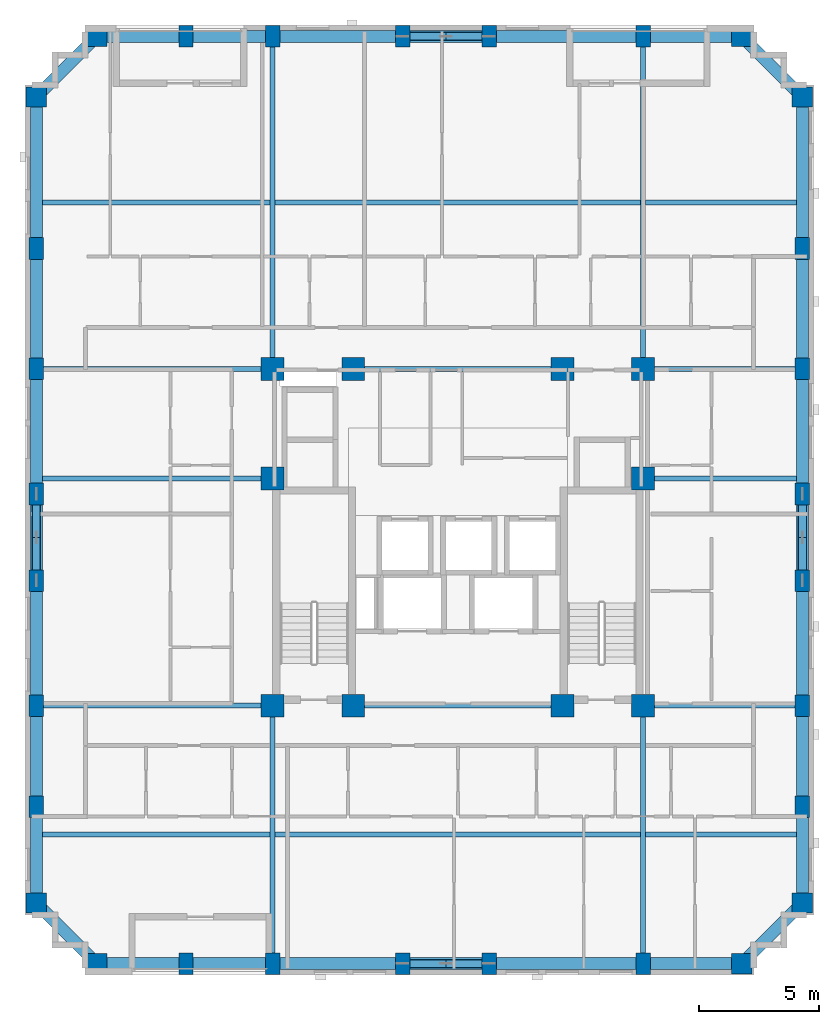
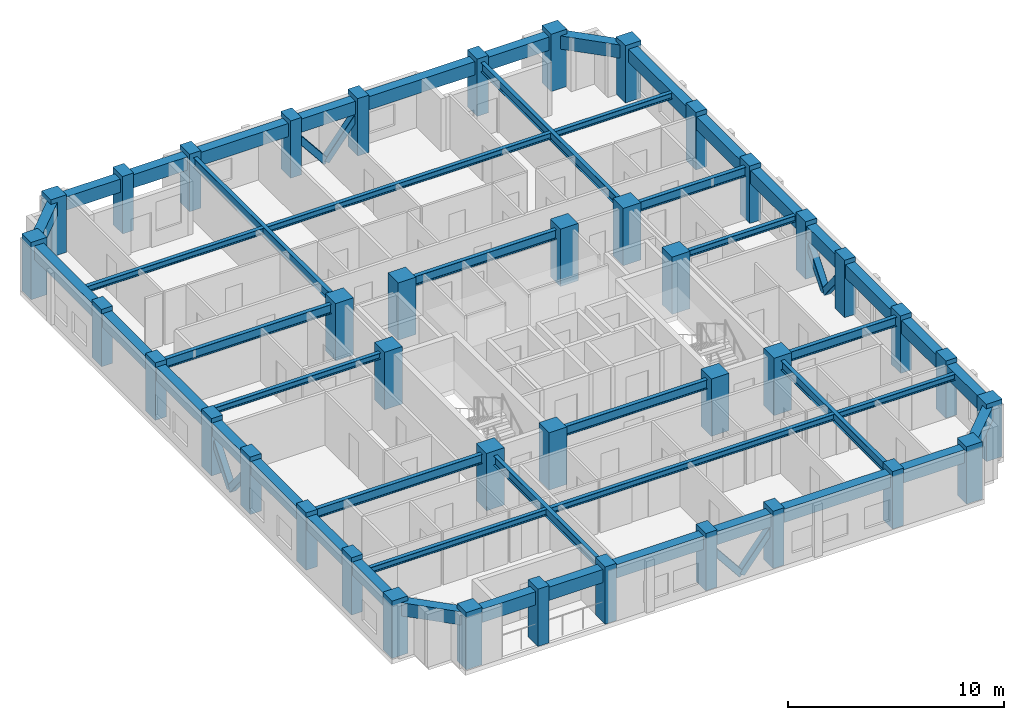
# One storey, part 1 of 11: 48 beams, 40 columns, 8 members.
"""IFC4 building model written with IfcOpenShell, lengths in metres."""

from ifc_helpers import new_model, si_unit, derived_unit, direction, frame, origin, origin_2d, place, context, subcontext, project, spatial, rectangle, hollow_rectangle, i_section, extrude, material, material_profile, profile_set, type_object, element, save


model = new_model("IFC4")

# Units and contexts
model_context = context("Model", 3, precision=1e-05, world=origin(), true_north=direction((0.0, 1.0)))
body_context = subcontext(model_context, "Body", "Model", "MODEL_VIEW")
ifc_project = project(units=[si_unit("LENGTHUNIT", "METRE"), si_unit("AREAUNIT", "SQUARE_METRE"), si_unit("VOLUMEUNIT", "CUBIC_METRE"), si_unit("PLANEANGLEUNIT", "RADIAN"), si_unit("MASSUNIT", "GRAM", prefix="KILO"), derived_unit("THERMALTRANSMITTANCEUNIT", [(si_unit("MASSUNIT", "GRAM", prefix="KILO"), 1), (si_unit("TIMEUNIT", "SECOND"), -3), (si_unit("THERMODYNAMICTEMPERATUREUNIT", "KELVIN"), -1)])], contexts=[model_context])

# Site, building, storey
site_placement = place(None, origin())
site = spatial("IfcSite", under=ifc_project, at=site_placement, CompositionType="ELEMENT")
building_placement = place(site_placement, origin())
building = spatial("IfcBuilding", under=site, at=building_placement, Name="Korrvale Station Residences", CompositionType="ELEMENT")
storey_placement = place(building_placement, frame((0.0, 0.0, 163.39990234375)))
storey = spatial("IfcBuildingStorey", under=building, at=storey_placement, Name="L47", CompositionType="ELEMENT", Elevation=163.39990234375)

# Columns
ifc_material_1 = material(Name="Concrete C60/75", Category="concrete")
ifc_material_profile_1 = material_profile(ifc_material_1, rectangle(XDim=0.60009765625, YDim=0.89990234375, at=origin_2d()), Name="RC600x900")
ifc_profile_set_1 = profile_set([ifc_material_profile_1], Name="Concrete C60/75")
column_type_1 = type_object("IfcColumnType", Name="COL-C-RC600x900-C6075", PredefinedType="COLUMN", material=ifc_profile_set_1)
for number, where, z_axis, x_axis, name in (
    (1, (14.199951171875, 4.280029296875, 0.0), (0.0, 0.0, 1.0), (1.0, 0.0, 0.0), "L47 Bundled-Tube South Column 02"),
    (2, (17.800048828125, 4.280029296875, 0.0), (0.0, 0.0, 1.0), (1.0, 0.0, 0.0), "L47 Bundled-Tube South Column 03"),
    (3, (23.199951171875, 4.280029296875, 0.0), (0.0, 0.0, 1.0), (1.0, 0.0, 0.0), "L47 Bundled-Tube South Column 04"),
    (4, (26.800048828125, 4.280029296875, 0.0), (0.0, 0.0, 1.0), (1.0, 0.0, 0.0), "L47 Bundled-Tube South Column 05"),
    (5, (33.199951171875, 4.280029296875, 0.0), (0.0, 0.0, 1.0), (1.0, 0.0, 0.0), "L47 Bundled-Tube South Column 06"),
    (6, (14.199951171875, 42.820068359375, 0.0), (0.0, 0.0, 1.0), (1.0, 0.0, 0.0), "L47 Bundled-Tube North Column 09"),
    (7, (17.800048828125, 42.820068359375, 0.0), (0.0, 0.0, 1.0), (1.0, 0.0, 0.0), "L47 Bundled-Tube North Column 10"),
    (8, (23.199951171875, 42.820068359375, 0.0), (0.0, 0.0, 1.0), (1.0, 0.0, 0.0), "L47 Bundled-Tube North Column 11"),
    (9, (26.800048828125, 42.820068359375, 0.0), (0.0, 0.0, 1.0), (1.0, 0.0, 0.0), "L47 Bundled-Tube North Column 12"),
    (10, (33.199951171875, 42.820068359375, 0.0), (0.0, 0.0, 1.0), (1.0, 0.0, 0.0), "L47 Bundled-Tube North Column 13"),
    (11, (7.97998046875, 10.800048828125, 0.0), (0.0, 0.0, 1.0), (1.0, 0.0, 0.0), "L47 Bundled-Tube West Column 16"),
    (12, (7.97998046875, 15.0, 0.0), (0.0, 0.0, 1.0), (1.0, 0.0, 0.0), "L47 Bundled-Tube West Column 17"),
    (13, (7.97998046875, 20.199951171875, 0.0), (0.0, 0.0, 1.0), (1.0, 0.0, 0.0), "L47 Bundled-Tube West Column 18"),
    (14, (7.97998046875, 23.800048828125, 0.0), (0.0, 0.0, 1.0), (1.0, 0.0, 0.0), "L47 Bundled-Tube West Column 19"),
    (15, (7.97998046875, 29.0, 0.0), (0.0, 0.0, 1.0), (1.0, 0.0, 0.0), "L47 Bundled-Tube West Column 20"),
    (16, (7.97998046875, 34.0, 0.0), (0.0, 0.0, 1.0), (1.0, 0.0, 0.0), "L47 Bundled-Tube West Column 21"),
    (17, (39.820068359375, 10.800048828125, 0.0), (0.0, 0.0, 1.0), (1.0, 0.0, 0.0), "L47 Bundled-Tube East Column 24"),
    (18, (39.820068359375, 15.0, 0.0), (0.0, 0.0, 1.0), (1.0, 0.0, 0.0), "L47 Bundled-Tube East Column 25"),
    (19, (39.820068359375, 20.199951171875, 0.0), (0.0, 0.0, 1.0), (1.0, 0.0, 0.0), "L47 Bundled-Tube East Column 26"),
    (20, (39.820068359375, 23.800048828125, 0.0), (0.0, 0.0, 1.0), (1.0, 0.0, 0.0), "L47 Bundled-Tube East Column 27"),
    (21, (39.820068359375, 29.0, 0.0), (0.0, 0.0, 1.0), (1.0, 0.0, 0.0), "L47 Bundled-Tube East Column 28"),
    (22, (39.820068359375, 34.0, 0.0), (0.0, 0.0, 1.0), (1.0, 0.0, 0.0), "L47 Bundled-Tube East Column 29"),
):
    element("IfcColumn", number, at=place(storey_placement, frame(where, z_axis=z_axis, x_axis=x_axis)), inside=storey, type_object=column_type_1, Name=name, PredefinedType="COLUMN", context=body_context, shape_type="SweptSolid", body=[
        extrude(rectangle(XDim=0.60009765625, YDim=0.89990234375, at=origin_2d()), origin(), (0.0, 0.0, 1.0), 3.25),
    ])
ifc_material_profile_2 = material_profile(ifc_material_1, rectangle(XDim=0.85009765625, YDim=0.85009765625, at=origin_2d()), Name="RC850x850")
ifc_profile_set_2 = profile_set([ifc_material_profile_2], Name="Concrete C60/75")
column_type_2 = type_object("IfcColumnType", Name="COL-C-RC850x850-C6075", PredefinedType="COLUMN", material=ifc_profile_set_2)
for number, where, z_axis, x_axis, name in (
    (23, (10.5, 4.280029296875, 0.0), (0.0, 0.0, 1.0), (1.0, 0.0, 0.0), "L47 Bundled-Tube South Column 01"),
    (24, (37.300048828125, 4.280029296875, 0.0), (0.0, 0.0, 1.0), (1.0, 0.0, 0.0), "L47 Bundled-Tube South Column 07"),
    (25, (10.5, 42.820068359375, 0.0), (0.0, 0.0, 1.0), (1.0, 0.0, 0.0), "L47 Bundled-Tube North Column 08"),
    (26, (37.300048828125, 42.820068359375, 0.0), (0.0, 0.0, 1.0), (1.0, 0.0, 0.0), "L47 Bundled-Tube North Column 14"),
    (27, (7.97998046875, 6.800048828125, 0.0), (0.0, 0.0, 1.0), (1.0, 0.0, 0.0), "L47 Bundled-Tube West Column 15"),
    (28, (7.97998046875, 40.300048828125, 0.0), (0.0, 0.0, 1.0), (1.0, 0.0, 0.0), "L47 Bundled-Tube West Column 22"),
    (29, (39.820068359375, 6.800048828125, 0.0), (0.0, 0.0, 1.0), (1.0, 0.0, 0.0), "L47 Bundled-Tube East Column 23"),
    (30, (39.820068359375, 40.300048828125, 0.0), (0.0, 0.0, 1.0), (1.0, 0.0, 0.0), "L47 Bundled-Tube East Column 30"),
):
    element("IfcColumn", number, at=place(storey_placement, frame(where, z_axis=z_axis, x_axis=x_axis)), inside=storey, type_object=column_type_2, Name=name, PredefinedType="COLUMN", context=body_context, shape_type="SweptSolid", body=[
        extrude(rectangle(XDim=0.85009765625, YDim=0.85009765625, at=origin_2d()), origin(), (0.0, 0.0, 1.0), 3.25),
    ])
ifc_material_profile_3 = material_profile(ifc_material_1, rectangle(XDim=0.949951171875, YDim=0.949951171875, at=origin_2d()), Name="RC950x950")
ifc_profile_set_3 = profile_set([ifc_material_profile_3], Name="Concrete C60/75")
column_type_3 = type_object("IfcColumnType", Name="COL-C-RC950x950-C6075", PredefinedType="COLUMN", material=ifc_profile_set_3)
for number, where, z_axis, x_axis, name in (
    (31, (17.800048828125, 15.0, 0.0), (0.0, 0.0, 1.0), (1.0, 0.0, 0.0), "L47 Core Column 01"),
    (32, (21.14990234375, 15.0, 0.0), (0.0, 0.0, 1.0), (1.0, 0.0, 0.0), "L47 Core Column 02"),
    (33, (29.85009765625, 15.0, 0.0), (0.0, 0.0, 1.0), (1.0, 0.0, 0.0), "L47 Core Column 03"),
    (34, (33.199951171875, 15.0, 0.0), (0.0, 0.0, 1.0), (1.0, 0.0, 0.0), "L47 Core Column 04"),
    (35, (17.800048828125, 29.0, 0.0), (0.0, 0.0, 1.0), (1.0, 0.0, 0.0), "L47 Core Column 05"),
    (36, (21.14990234375, 29.0, 0.0), (0.0, 0.0, 1.0), (1.0, 0.0, 0.0), "L47 Core Column 06"),
    (37, (29.85009765625, 29.0, 0.0), (0.0, 0.0, 1.0), (1.0, 0.0, 0.0), "L47 Core Column 07"),
    (38, (33.199951171875, 29.0, 0.0), (0.0, 0.0, 1.0), (1.0, 0.0, 0.0), "L47 Core Column 08"),
    (39, (17.800048828125, 24.449951171875, 0.0), (0.0, 0.0, 1.0), (1.0, 0.0, 0.0), "L47 Core Column 09"),
    (40, (33.199951171875, 24.449951171875, 0.0), (0.0, 0.0, 1.0), (1.0, 0.0, 0.0), "L47 Core Column 10"),
):
    element("IfcColumn", number, at=place(storey_placement, frame(where, z_axis=z_axis, x_axis=x_axis)), inside=storey, type_object=column_type_3, Name=name, PredefinedType="COLUMN", context=body_context, shape_type="SweptSolid", body=[
        extrude(rectangle(XDim=0.949951171875, YDim=0.949951171875, at=origin_2d()), origin(), (0.0, 0.0, 1.0), 3.25),
    ])

# Beams
ifc_material_2 = material(Name="Steel S355", Category="steel")
ifc_material_profile_4 = material_profile(ifc_material_2, i_section(OverallWidth=0.208984375, OverallDepth=0.532958984375, WebThickness=0.01025390625, FlangeThickness=0.015625, FilletRadius=0.01806640625, at=origin_2d()), Name="W530x92")
ifc_profile_set_4 = profile_set([ifc_material_profile_4], Name="Steel S355")
beam_type_1 = type_object("IfcBeamType", Name="BM-BM-W530x92-S355", PredefinedType="BEAM", material=ifc_profile_set_4)
for number, where, z_axis, x_axis, name in (
    (41, (17.800048828125, 4.280029296875, 2.7236328125), (0.0, 1.0, 0.0), (-1.0, 0.0, 0.0), "L47 Bundled-Tube Web Girder 01"),
    (42, (33.199951171875, 4.280029296875, 2.7236328125), (0.0, 1.0, 0.0), (-1.0, 0.0, 0.0), "L47 Bundled-Tube Web Girder 02"),
):
    element("IfcBeam", number, at=place(storey_placement, frame(where, z_axis=z_axis, x_axis=x_axis)), inside=storey, type_object=beam_type_1, Name=name, PredefinedType="BEAM", context=body_context, shape_type="SweptSolid", body=[
        extrude(i_section(OverallWidth=0.208984375, OverallDepth=0.532958984375, WebThickness=0.01025390625, FlangeThickness=0.015625, FilletRadius=0.01806640625, at=origin_2d()), origin(), (0.0, 0.0, 1.0), 10.719970703125),
    ])
for number, where, z_axis, x_axis, name in (
    (43, (17.800048828125, 29.0, 2.7236328125), (0.0, 1.0, 0.0), (-1.0, 0.0, 0.0), "L47 Bundled-Tube Web Girder 03"),
    (44, (33.199951171875, 29.0, 2.7236328125), (0.0, 1.0, 0.0), (-1.0, 0.0, 0.0), "L47 Bundled-Tube Web Girder 04"),
):
    element("IfcBeam", number, at=place(storey_placement, frame(where, z_axis=z_axis, x_axis=x_axis)), inside=storey, type_object=beam_type_1, Name=name, PredefinedType="BEAM", context=body_context, shape_type="SweptSolid", body=[
        extrude(i_section(OverallWidth=0.208984375, OverallDepth=0.532958984375, WebThickness=0.01025390625, FlangeThickness=0.015625, FilletRadius=0.01806640625, at=origin_2d()), origin(), (0.0, 0.0, 1.0), 13.820068359375),
    ])
beam_1_placement = place(storey_placement, frame((7.97998046875, 15.0, 2.7236328125), z_axis=(1.0, 0.0, 0.0), x_axis=(0.0, 1.0, 0.0)))
element("IfcBeam", 45, at=beam_1_placement, inside=storey, type_object=beam_type_1, Name="L47 Bundled-Tube Web Girder 05", PredefinedType="BEAM", context=body_context, shape_type="SweptSolid", body=[
    extrude(i_section(OverallWidth=0.208984375, OverallDepth=0.532958984375, WebThickness=0.01025390625, FlangeThickness=0.015625, FilletRadius=0.01806640625, at=origin_2d()), origin(), (0.0, 0.0, 1.0), 9.820068359375),
])
beam_2_placement = place(storey_placement, frame((33.199951171875, 15.0, 2.7236328125), z_axis=(1.0, 0.0, 0.0), x_axis=(0.0, 1.0, 0.0)))
element("IfcBeam", 46, at=beam_2_placement, inside=storey, type_object=beam_type_1, Name="L47 Bundled-Tube Web Girder 06", PredefinedType="BEAM", context=body_context, shape_type="SweptSolid", body=[
    extrude(i_section(OverallWidth=0.208984375, OverallDepth=0.532958984375, WebThickness=0.01025390625, FlangeThickness=0.015625, FilletRadius=0.01806640625, at=origin_2d()), origin(), (0.0, 0.0, 1.0), 6.6201171875),
])
beam_3_placement = place(storey_placement, frame((7.97998046875, 29.0, 2.7236328125), z_axis=(1.0, 0.0, 0.0), x_axis=(0.0, 1.0, 0.0)))
element("IfcBeam", 47, at=beam_3_placement, inside=storey, type_object=beam_type_1, Name="L47 Bundled-Tube Web Girder 07", PredefinedType="BEAM", context=body_context, shape_type="SweptSolid", body=[
    extrude(i_section(OverallWidth=0.208984375, OverallDepth=0.532958984375, WebThickness=0.01025390625, FlangeThickness=0.015625, FilletRadius=0.01806640625, at=origin_2d()), origin(), (0.0, 0.0, 1.0), 9.820068359375),
])
beam_4_placement = place(storey_placement, frame((33.199951171875, 29.0, 2.7236328125), z_axis=(1.0, 0.0, 0.0), x_axis=(0.0, 1.0, 0.0)))
element("IfcBeam", 48, at=beam_4_placement, inside=storey, type_object=beam_type_1, Name="L47 Bundled-Tube Web Girder 08", PredefinedType="BEAM", context=body_context, shape_type="SweptSolid", body=[
    extrude(i_section(OverallWidth=0.208984375, OverallDepth=0.532958984375, WebThickness=0.01025390625, FlangeThickness=0.015625, FilletRadius=0.01806640625, at=origin_2d()), origin(), (0.0, 0.0, 1.0), 6.6201171875),
])
for number, where, z_axis, x_axis, name in (
    (49, (21.14990234375, 15.0, 2.7236328125), (1.0, 0.0, 0.0), (0.0, 1.0, 0.0), "L47 Bundled-Tube Web Girder 09"),
    (50, (21.14990234375, 29.0, 2.7236328125), (1.0, 0.0, 0.0), (0.0, 1.0, 0.0), "L47 Bundled-Tube Web Girder 10"),
):
    element("IfcBeam", number, at=place(storey_placement, frame(where, z_axis=z_axis, x_axis=x_axis)), inside=storey, type_object=beam_type_1, Name=name, PredefinedType="BEAM", context=body_context, shape_type="SweptSolid", body=[
        extrude(i_section(OverallWidth=0.208984375, OverallDepth=0.532958984375, WebThickness=0.01025390625, FlangeThickness=0.015625, FilletRadius=0.01806640625, at=origin_2d()), origin(), (0.0, 0.0, 1.0), 8.7001953125),
    ])
ifc_material_profile_5 = material_profile(ifc_material_2, i_section(OverallWidth=0.205078125, OverallDepth=0.35400390625, WebThickness=0.009521484375, FlangeThickness=0.016845703125, FilletRadius=0.014892578125, at=origin_2d()), Name="W360x79")
ifc_profile_set_5 = profile_set([ifc_material_profile_5], Name="Steel S355")
beam_type_2 = type_object("IfcBeamType", Name="BM-JST-W360x79-S355", PredefinedType="JOIST", material=ifc_profile_set_5)
beam_5_placement = place(storey_placement, frame((8.22998046875, 9.639892578125, 2.81298828125), z_axis=(1.0, 0.0, 0.0), x_axis=(0.0, 1.0, 0.0)))
element("IfcBeam", 51, at=beam_5_placement, inside=storey, type_object=beam_type_2, Name="L47 Floor Framing Joist 01", PredefinedType="JOIST", context=body_context, shape_type="SweptSolid", body=[
    extrude(i_section(OverallWidth=0.205078125, OverallDepth=0.35400390625, WebThickness=0.009521484375, FlangeThickness=0.016845703125, FilletRadius=0.014892578125, at=origin_2d()), origin(), (0.0, 0.0, 1.0), 9.465576171875),
])
beam_6_placement = place(storey_placement, frame((17.904541015625, 9.639892578125, 2.81298828125), z_axis=(1.0, 0.0, 0.0), x_axis=(0.0, 1.0, 0.0)))
element("IfcBeam", 52, at=beam_6_placement, inside=storey, type_object=beam_type_2, Name="L47 Floor Framing Joist 02", PredefinedType="JOIST", context=body_context, shape_type="SweptSolid", body=[
    extrude(i_section(OverallWidth=0.205078125, OverallDepth=0.35400390625, WebThickness=0.009521484375, FlangeThickness=0.016845703125, FilletRadius=0.014892578125, at=origin_2d()), origin(), (0.0, 0.0, 1.0), 15.19091796875),
])
beam_7_placement = place(storey_placement, frame((33.304443359375, 9.639892578125, 2.81298828125), z_axis=(1.0, 0.0, 0.0), x_axis=(0.0, 1.0, 0.0)))
element("IfcBeam", 53, at=beam_7_placement, inside=storey, type_object=beam_type_2, Name="L47 Floor Framing Joist 03", PredefinedType="JOIST", context=body_context, shape_type="SweptSolid", body=[
    extrude(i_section(OverallWidth=0.205078125, OverallDepth=0.35400390625, WebThickness=0.009521484375, FlangeThickness=0.016845703125, FilletRadius=0.014892578125, at=origin_2d()), origin(), (0.0, 0.0, 1.0), 6.265625),
])
beam_8_placement = place(storey_placement, frame((8.22998046875, 35.909912109375, 2.81298828125), z_axis=(1.0, 0.0, 0.0), x_axis=(0.0, 1.0, 0.0)))
element("IfcBeam", 54, at=beam_8_placement, inside=storey, type_object=beam_type_2, Name="L47 Floor Framing Joist 04", PredefinedType="JOIST", context=body_context, shape_type="SweptSolid", body=[
    extrude(i_section(OverallWidth=0.205078125, OverallDepth=0.35400390625, WebThickness=0.009521484375, FlangeThickness=0.016845703125, FilletRadius=0.014892578125, at=origin_2d()), origin(), (0.0, 0.0, 1.0), 9.465576171875),
])
beam_9_placement = place(storey_placement, frame((17.904541015625, 35.909912109375, 2.81298828125), z_axis=(1.0, 0.0, 0.0), x_axis=(0.0, 1.0, 0.0)))
element("IfcBeam", 55, at=beam_9_placement, inside=storey, type_object=beam_type_2, Name="L47 Floor Framing Joist 05", PredefinedType="JOIST", context=body_context, shape_type="SweptSolid", body=[
    extrude(i_section(OverallWidth=0.205078125, OverallDepth=0.35400390625, WebThickness=0.009521484375, FlangeThickness=0.016845703125, FilletRadius=0.014892578125, at=origin_2d()), origin(), (0.0, 0.0, 1.0), 15.19091796875),
])
beam_10_placement = place(storey_placement, frame((33.304443359375, 35.909912109375, 2.81298828125), z_axis=(1.0, 0.0, 0.0), x_axis=(0.0, 1.0, 0.0)))
element("IfcBeam", 56, at=beam_10_placement, inside=storey, type_object=beam_type_2, Name="L47 Floor Framing Joist 06", PredefinedType="JOIST", context=body_context, shape_type="SweptSolid", body=[
    extrude(i_section(OverallWidth=0.205078125, OverallDepth=0.35400390625, WebThickness=0.009521484375, FlangeThickness=0.016845703125, FilletRadius=0.014892578125, at=origin_2d()), origin(), (0.0, 0.0, 1.0), 6.265625),
])
beam_11_placement = place(storey_placement, frame((33.199951171875, 24.449951171875, 2.81298828125), z_axis=(1.0, 0.0, 0.0), x_axis=(0.0, 1.0, 0.0)))
element("IfcBeam", 57, at=beam_11_placement, inside=storey, type_object=beam_type_2, Name="L47 Floor Framing Joist 07", PredefinedType="JOIST", context=body_context, shape_type="SweptSolid", body=[
    extrude(i_section(OverallWidth=0.205078125, OverallDepth=0.35400390625, WebThickness=0.009521484375, FlangeThickness=0.016845703125, FilletRadius=0.014892578125, at=origin_2d()), origin(), (0.0, 0.0, 1.0), 6.3701171875),
])
beam_12_placement = place(storey_placement, frame((8.22998046875, 24.449951171875, 2.81298828125), z_axis=(1.0, 0.0, 0.0), x_axis=(0.0, 1.0, 0.0)))
element("IfcBeam", 58, at=beam_12_placement, inside=storey, type_object=beam_type_2, Name="L47 Floor Framing Joist 08", PredefinedType="JOIST", context=body_context, shape_type="SweptSolid", body=[
    extrude(i_section(OverallWidth=0.205078125, OverallDepth=0.35400390625, WebThickness=0.009521484375, FlangeThickness=0.016845703125, FilletRadius=0.014892578125, at=origin_2d()), origin(), (0.0, 0.0, 1.0), 9.570068359375),
])
ifc_material_profile_6 = material_profile(ifc_material_1, rectangle(XDim=0.5, YDim=0.75, at=origin_2d()), Name="RCB500x750")
ifc_profile_set_6 = profile_set([ifc_material_profile_6], Name="Concrete C60/75")
beam_type_3 = type_object("IfcBeamType", Name="BM-SPB-RCB500x750-C6075", PredefinedType="SPANDREL", material=ifc_profile_set_6)
beam_13_placement = place(storey_placement, frame((10.5, 4.280029296875, 2.614990234375), z_axis=(1.0, 0.0, 0.0), x_axis=(0.0, 1.0, 0.0)))
element("IfcBeam", 59, at=beam_13_placement, inside=storey, type_object=beam_type_3, Name="L47 South Tube Spandrel 01", PredefinedType="SPANDREL", context=body_context, shape_type="SweptSolid", body=[
    extrude(rectangle(XDim=0.5, YDim=0.75, at=origin_2d()), origin(), (0.0, 0.0, 1.0), 3.699951171875),
])
beam_14_placement = place(storey_placement, frame((14.199951171875, 4.280029296875, 2.614990234375), z_axis=(1.0, 0.0, 0.0), x_axis=(0.0, 1.0, 0.0)))
element("IfcBeam", 60, at=beam_14_placement, inside=storey, type_object=beam_type_3, Name="L47 South Tube Spandrel 02", PredefinedType="SPANDREL", context=body_context, shape_type="SweptSolid", body=[
    extrude(rectangle(XDim=0.5, YDim=0.75, at=origin_2d()), origin(), (0.0, 0.0, 1.0), 3.60009765625),
])
beam_15_placement = place(storey_placement, frame((17.800048828125, 4.280029296875, 2.614990234375), z_axis=(1.0, 0.0, 0.0), x_axis=(0.0, 1.0, 0.0)))
element("IfcBeam", 61, at=beam_15_placement, inside=storey, type_object=beam_type_3, Name="L47 South Tube Spandrel 03", PredefinedType="SPANDREL", context=body_context, shape_type="SweptSolid", body=[
    extrude(rectangle(XDim=0.5, YDim=0.75, at=origin_2d()), origin(), (0.0, 0.0, 1.0), 5.39990234375),
])
beam_16_placement = place(storey_placement, frame((23.199951171875, 4.280029296875, 2.614990234375), z_axis=(1.0, 0.0, 0.0), x_axis=(0.0, 1.0, 0.0)))
element("IfcBeam", 62, at=beam_16_placement, inside=storey, type_object=beam_type_3, Name="L47 South Tube Spandrel 04", PredefinedType="SPANDREL", context=body_context, shape_type="SweptSolid", body=[
    extrude(rectangle(XDim=0.5, YDim=0.75, at=origin_2d()), origin(), (0.0, 0.0, 1.0), 3.60009765625),
])
beam_17_placement = place(storey_placement, frame((26.800048828125, 4.280029296875, 2.614990234375), z_axis=(1.0, 0.0, 0.0), x_axis=(0.0, 1.0, 0.0)))
element("IfcBeam", 63, at=beam_17_placement, inside=storey, type_object=beam_type_3, Name="L47 South Tube Spandrel 05", PredefinedType="SPANDREL", context=body_context, shape_type="SweptSolid", body=[
    extrude(rectangle(XDim=0.5, YDim=0.75, at=origin_2d()), origin(), (0.0, 0.0, 1.0), 6.39990234375),
])
beam_18_placement = place(storey_placement, frame((33.199951171875, 4.280029296875, 2.614990234375), z_axis=(1.0, 0.0, 0.0), x_axis=(0.0, 1.0, 0.0)))
element("IfcBeam", 64, at=beam_18_placement, inside=storey, type_object=beam_type_3, Name="L47 South Tube Spandrel 06", PredefinedType="SPANDREL", context=body_context, shape_type="SweptSolid", body=[
    extrude(rectangle(XDim=0.5, YDim=0.75, at=origin_2d()), origin(), (0.0, 0.0, 1.0), 4.10009765625),
])
beam_19_placement = place(storey_placement, frame((10.5, 42.820068359375, 2.614990234375), z_axis=(1.0, 0.0, 0.0), x_axis=(0.0, 1.0, 0.0)))
element("IfcBeam", 65, at=beam_19_placement, inside=storey, type_object=beam_type_3, Name="L47 North Tube Spandrel 07", PredefinedType="SPANDREL", context=body_context, shape_type="SweptSolid", body=[
    extrude(rectangle(XDim=0.5, YDim=0.75, at=origin_2d()), origin(), (0.0, 0.0, 1.0), 3.699951171875),
])
beam_20_placement = place(storey_placement, frame((14.199951171875, 42.820068359375, 2.614990234375), z_axis=(1.0, 0.0, 0.0), x_axis=(0.0, 1.0, 0.0)))
element("IfcBeam", 66, at=beam_20_placement, inside=storey, type_object=beam_type_3, Name="L47 North Tube Spandrel 08", PredefinedType="SPANDREL", context=body_context, shape_type="SweptSolid", body=[
    extrude(rectangle(XDim=0.5, YDim=0.75, at=origin_2d()), origin(), (0.0, 0.0, 1.0), 3.60009765625),
])
beam_21_placement = place(storey_placement, frame((17.800048828125, 42.820068359375, 2.614990234375), z_axis=(1.0, 0.0, 0.0), x_axis=(0.0, 1.0, 0.0)))
element("IfcBeam", 67, at=beam_21_placement, inside=storey, type_object=beam_type_3, Name="L47 North Tube Spandrel 09", PredefinedType="SPANDREL", context=body_context, shape_type="SweptSolid", body=[
    extrude(rectangle(XDim=0.5, YDim=0.75, at=origin_2d()), origin(), (0.0, 0.0, 1.0), 5.39990234375),
])
beam_22_placement = place(storey_placement, frame((23.199951171875, 42.820068359375, 2.614990234375), z_axis=(1.0, 0.0, 0.0), x_axis=(0.0, 1.0, 0.0)))
element("IfcBeam", 68, at=beam_22_placement, inside=storey, type_object=beam_type_3, Name="L47 North Tube Spandrel 10", PredefinedType="SPANDREL", context=body_context, shape_type="SweptSolid", body=[
    extrude(rectangle(XDim=0.5, YDim=0.75, at=origin_2d()), origin(), (0.0, 0.0, 1.0), 3.60009765625),
])
beam_23_placement = place(storey_placement, frame((26.800048828125, 42.820068359375, 2.614990234375), z_axis=(1.0, 0.0, 0.0), x_axis=(0.0, 1.0, 0.0)))
element("IfcBeam", 69, at=beam_23_placement, inside=storey, type_object=beam_type_3, Name="L47 North Tube Spandrel 11", PredefinedType="SPANDREL", context=body_context, shape_type="SweptSolid", body=[
    extrude(rectangle(XDim=0.5, YDim=0.75, at=origin_2d()), origin(), (0.0, 0.0, 1.0), 6.39990234375),
])
beam_24_placement = place(storey_placement, frame((33.199951171875, 42.820068359375, 2.614990234375), z_axis=(1.0, 0.0, 0.0), x_axis=(0.0, 1.0, 0.0)))
element("IfcBeam", 70, at=beam_24_placement, inside=storey, type_object=beam_type_3, Name="L47 North Tube Spandrel 12", PredefinedType="SPANDREL", context=body_context, shape_type="SweptSolid", body=[
    extrude(rectangle(XDim=0.5, YDim=0.75, at=origin_2d()), origin(), (0.0, 0.0, 1.0), 4.10009765625),
])
beam_25_placement = place(storey_placement, frame((7.97998046875, 6.800048828125, 2.614990234375), z_axis=(0.0, 1.0, 0.0), x_axis=(-1.0, 0.0, 0.0)))
element("IfcBeam", 71, at=beam_25_placement, inside=storey, type_object=beam_type_3, Name="L47 West Tube Spandrel 13", PredefinedType="SPANDREL", context=body_context, shape_type="SweptSolid", body=[
    extrude(rectangle(XDim=0.5, YDim=0.75, at=origin_2d()), origin(), (0.0, 0.0, 1.0), 4.0),
])
beam_26_placement = place(storey_placement, frame((7.97998046875, 10.800048828125, 2.614990234375), z_axis=(0.0, 1.0, 0.0), x_axis=(-1.0, 0.0, 0.0)))
element("IfcBeam", 72, at=beam_26_placement, inside=storey, type_object=beam_type_3, Name="L47 West Tube Spandrel 14", PredefinedType="SPANDREL", context=body_context, shape_type="SweptSolid", body=[
    extrude(rectangle(XDim=0.5, YDim=0.75, at=origin_2d()), origin(), (0.0, 0.0, 1.0), 4.199951171875),
])
beam_27_placement = place(storey_placement, frame((7.97998046875, 15.0, 2.614990234375), z_axis=(0.0, 1.0, 0.0), x_axis=(-1.0, 0.0, 0.0)))
element("IfcBeam", 73, at=beam_27_placement, inside=storey, type_object=beam_type_3, Name="L47 West Tube Spandrel 15", PredefinedType="SPANDREL", context=body_context, shape_type="SweptSolid", body=[
    extrude(rectangle(XDim=0.5, YDim=0.75, at=origin_2d()), origin(), (0.0, 0.0, 1.0), 5.199951171875),
])
beam_28_placement = place(storey_placement, frame((7.97998046875, 20.199951171875, 2.614990234375), z_axis=(0.0, 1.0, 0.0), x_axis=(-1.0, 0.0, 0.0)))
element("IfcBeam", 74, at=beam_28_placement, inside=storey, type_object=beam_type_3, Name="L47 West Tube Spandrel 16", PredefinedType="SPANDREL", context=body_context, shape_type="SweptSolid", body=[
    extrude(rectangle(XDim=0.5, YDim=0.75, at=origin_2d()), origin(), (0.0, 0.0, 1.0), 3.60009765625),
])
beam_29_placement = place(storey_placement, frame((7.97998046875, 23.800048828125, 2.614990234375), z_axis=(0.0, 1.0, 0.0), x_axis=(-1.0, 0.0, 0.0)))
element("IfcBeam", 75, at=beam_29_placement, inside=storey, type_object=beam_type_3, Name="L47 West Tube Spandrel 17", PredefinedType="SPANDREL", context=body_context, shape_type="SweptSolid", body=[
    extrude(rectangle(XDim=0.5, YDim=0.75, at=origin_2d()), origin(), (0.0, 0.0, 1.0), 5.199951171875),
])
beam_30_placement = place(storey_placement, frame((7.97998046875, 29.0, 2.614990234375), z_axis=(0.0, 1.0, 0.0), x_axis=(-1.0, 0.0, 0.0)))
element("IfcBeam", 76, at=beam_30_placement, inside=storey, type_object=beam_type_3, Name="L47 West Tube Spandrel 18", PredefinedType="SPANDREL", context=body_context, shape_type="SweptSolid", body=[
    extrude(rectangle(XDim=0.5, YDim=0.75, at=origin_2d()), origin(), (0.0, 0.0, 1.0), 5.0),
])
beam_31_placement = place(storey_placement, frame((7.97998046875, 34.0, 2.614990234375), z_axis=(0.0, 1.0, 0.0), x_axis=(-1.0, 0.0, 0.0)))
element("IfcBeam", 77, at=beam_31_placement, inside=storey, type_object=beam_type_3, Name="L47 West Tube Spandrel 19", PredefinedType="SPANDREL", context=body_context, shape_type="SweptSolid", body=[
    extrude(rectangle(XDim=0.5, YDim=0.75, at=origin_2d()), origin(), (0.0, 0.0, 1.0), 6.300048828125),
])
beam_32_placement = place(storey_placement, frame((39.820068359375, 6.800048828125, 2.614990234375), z_axis=(0.0, 1.0, 0.0), x_axis=(-1.0, 0.0, 0.0)))
element("IfcBeam", 78, at=beam_32_placement, inside=storey, type_object=beam_type_3, Name="L47 East Tube Spandrel 20", PredefinedType="SPANDREL", context=body_context, shape_type="SweptSolid", body=[
    extrude(rectangle(XDim=0.5, YDim=0.75, at=origin_2d()), origin(), (0.0, 0.0, 1.0), 4.0),
])
beam_33_placement = place(storey_placement, frame((39.820068359375, 10.800048828125, 2.614990234375), z_axis=(0.0, 1.0, 0.0), x_axis=(-1.0, 0.0, 0.0)))
element("IfcBeam", 79, at=beam_33_placement, inside=storey, type_object=beam_type_3, Name="L47 East Tube Spandrel 21", PredefinedType="SPANDREL", context=body_context, shape_type="SweptSolid", body=[
    extrude(rectangle(XDim=0.5, YDim=0.75, at=origin_2d()), origin(), (0.0, 0.0, 1.0), 4.199951171875),
])
beam_34_placement = place(storey_placement, frame((39.820068359375, 15.0, 2.614990234375), z_axis=(0.0, 1.0, 0.0), x_axis=(-1.0, 0.0, 0.0)))
element("IfcBeam", 80, at=beam_34_placement, inside=storey, type_object=beam_type_3, Name="L47 East Tube Spandrel 22", PredefinedType="SPANDREL", context=body_context, shape_type="SweptSolid", body=[
    extrude(rectangle(XDim=0.5, YDim=0.75, at=origin_2d()), origin(), (0.0, 0.0, 1.0), 5.199951171875),
])
beam_35_placement = place(storey_placement, frame((39.820068359375, 20.199951171875, 2.614990234375), z_axis=(0.0, 1.0, 0.0), x_axis=(-1.0, 0.0, 0.0)))
element("IfcBeam", 81, at=beam_35_placement, inside=storey, type_object=beam_type_3, Name="L47 East Tube Spandrel 23", PredefinedType="SPANDREL", context=body_context, shape_type="SweptSolid", body=[
    extrude(rectangle(XDim=0.5, YDim=0.75, at=origin_2d()), origin(), (0.0, 0.0, 1.0), 3.60009765625),
])
beam_36_placement = place(storey_placement, frame((39.820068359375, 23.800048828125, 2.614990234375), z_axis=(0.0, 1.0, 0.0), x_axis=(-1.0, 0.0, 0.0)))
element("IfcBeam", 82, at=beam_36_placement, inside=storey, type_object=beam_type_3, Name="L47 East Tube Spandrel 24", PredefinedType="SPANDREL", context=body_context, shape_type="SweptSolid", body=[
    extrude(rectangle(XDim=0.5, YDim=0.75, at=origin_2d()), origin(), (0.0, 0.0, 1.0), 5.199951171875),
])
beam_37_placement = place(storey_placement, frame((39.820068359375, 29.0, 2.614990234375), z_axis=(0.0, 1.0, 0.0), x_axis=(-1.0, 0.0, 0.0)))
element("IfcBeam", 83, at=beam_37_placement, inside=storey, type_object=beam_type_3, Name="L47 East Tube Spandrel 25", PredefinedType="SPANDREL", context=body_context, shape_type="SweptSolid", body=[
    extrude(rectangle(XDim=0.5, YDim=0.75, at=origin_2d()), origin(), (0.0, 0.0, 1.0), 5.0),
])
beam_38_placement = place(storey_placement, frame((39.820068359375, 34.0, 2.614990234375), z_axis=(0.0, 1.0, 0.0), x_axis=(-1.0, 0.0, 0.0)))
element("IfcBeam", 84, at=beam_38_placement, inside=storey, type_object=beam_type_3, Name="L47 East Tube Spandrel 26", PredefinedType="SPANDREL", context=body_context, shape_type="SweptSolid", body=[
    extrude(rectangle(XDim=0.5, YDim=0.75, at=origin_2d()), origin(), (0.0, 0.0, 1.0), 6.300048828125),
])
for number, where, z_axis, x_axis, name in (
    (85, (10.5, 4.280029296875, 2.614990234375), (-0.707106781187, 0.707106781187, 0.0), (-0.707106781187, -0.707106781187, 0.0), "L47 Serrated Corner Spandrel 27"),
    (86, (37.300048828125, 4.280029296875, 2.614990234375), (0.707106781187, 0.707106781187, 0.0), (-0.707106781187, 0.707106781187, 0.0), "L47 Serrated Corner Spandrel 28"),
    (87, (37.300048828125, 42.820068359375, 2.614990234375), (0.707106781187, -0.707106781187, 0.0), (0.707106781187, 0.707106781187, 0.0), "L47 Serrated Corner Spandrel 29"),
    (88, (10.5, 42.820068359375, 2.614990234375), (-0.707106781187, -0.707106781187, 0.0), (0.707106781187, -0.707106781187, 0.0), "L47 Serrated Corner Spandrel 30"),
):
    element("IfcBeam", number, at=place(storey_placement, frame(where, z_axis=z_axis, x_axis=x_axis)), inside=storey, type_object=beam_type_3, Name=name, PredefinedType="SPANDREL", context=body_context, shape_type="SweptSolid", body=[
        extrude(rectangle(XDim=0.5, YDim=0.75, at=origin_2d()), origin(), (0.0, 0.0, 1.0), 3.56396484375),
    ])

# Members
ifc_material_profile_7 = material_profile(ifc_material_2, hollow_rectangle(XDim=0.355712890625, YDim=0.355712890625, WallThickness=0.015869140625, InnerFilletRadius=0.015869140625, OuterFilletRadius=0.03173828125, at=origin_2d()), Name="HSS356x356x16")
ifc_profile_set_7 = profile_set([ifc_material_profile_7], Name="Steel S355")
member_type = type_object("IfcMemberType", Name="MBR-BR-HSS356x356x16", PredefinedType="BRACE", material=ifc_profile_set_7)
for number, where, z_axis, x_axis, name in (
    (89, (25.0, 4.280029296875, 0.02001953125), (-0.62640309239, 0.0, 0.779499304582), (0.0, -1.0, 0.0), "L47 S Perimeter Tube Wind Brace 1"),
    (90, (25.0, 4.280029296875, 0.02001953125), (0.62640309239, 0.0, 0.779499304582), (0.0, 1.0, 0.0), "L47 S Perimeter Tube Wind Brace 2"),
    (91, (25.0, 42.820068359375, 0.02001953125), (-0.62640309239, 0.0, 0.779499304582), (0.0, -1.0, 0.0), "L47 N Perimeter Tube Wind Brace 1"),
    (92, (25.0, 42.820068359375, 0.02001953125), (0.62640309239, 0.0, 0.779499304582), (0.0, 1.0, 0.0), "L47 N Perimeter Tube Wind Brace 2"),
    (93, (7.97998046875, 22.0, 0.02001953125), (0.0, -0.62640309239, 0.779499304582), (1.0, 0.0, 0.0), "L47 W Perimeter Tube Wind Brace 1"),
    (94, (7.97998046875, 22.0, 0.02001953125), (0.0, 0.62640309239, 0.779499304582), (-1.0, 0.0, 0.0), "L47 W Perimeter Tube Wind Brace 2"),
    (95, (39.820068359375, 22.0, 0.02001953125), (0.0, -0.62640309239, 0.779499304582), (1.0, 0.0, 0.0), "L47 E Perimeter Tube Wind Brace 1"),
    (96, (39.820068359375, 22.0, 0.02001953125), (0.0, 0.62640309239, 0.779499304582), (-1.0, 0.0, 0.0), "L47 E Perimeter Tube Wind Brace 2"),
):
    element("IfcMember", number, at=place(storey_placement, frame(where, z_axis=z_axis, x_axis=x_axis)), inside=storey, type_object=member_type, Name=name, PredefinedType="BRACE", context=body_context, shape_type="SweptSolid", body=[
        extrude(hollow_rectangle(XDim=0.355712890625, YDim=0.355712890625, WallThickness=0.015869140625, InnerFilletRadius=0.015869140625, OuterFilletRadius=0.03173828125, at=origin_2d()), origin(), (0.0, 0.0, 1.0), 2.87353515625),
    ])

save(model, "model.ifc")
